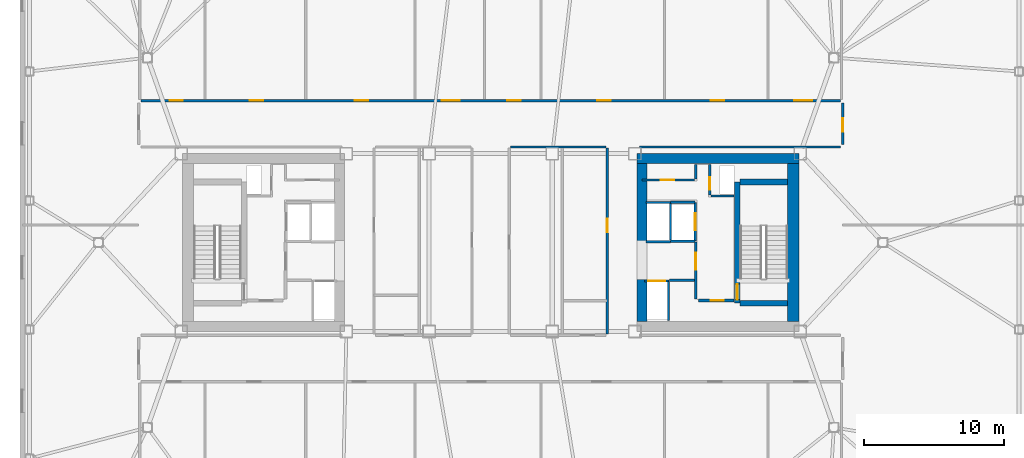
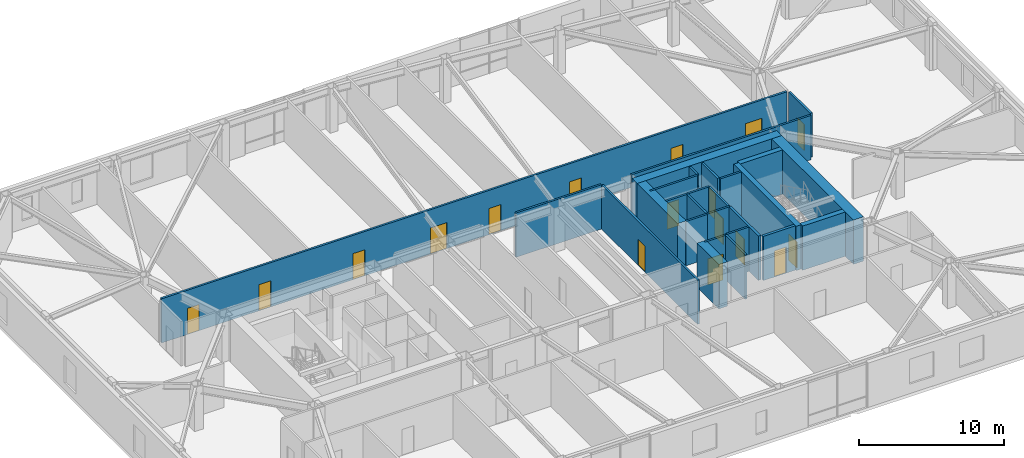
# One storey, part 12 of 18: 27 walls, 17 doors, 17 openings.
"""IFC4 building model written with IfcOpenShell, lengths in metres."""

from ifc_helpers import new_model, si_unit, direction, frame, frame_2d, origin, place, context, subcontext, project, spatial, rectangle, extrude, material, layer, layer_set, type_object, element, fill, save


model = new_model("IFC4")

# Units and contexts
model_context = context("Model", 3, precision=1e-05, world=origin(), true_north=direction((0.0, 1.0)))
body_context = subcontext(model_context, "Body", "Model", "MODEL_VIEW")
ifc_project = project(units=[si_unit("LENGTHUNIT", "METRE"), si_unit("AREAUNIT", "SQUARE_METRE"), si_unit("VOLUMEUNIT", "CUBIC_METRE"), si_unit("PLANEANGLEUNIT", "RADIAN"), si_unit("MASSUNIT", "GRAM", prefix="KILO")], contexts=[model_context])

# Site, building, storey
site_placement = place(None, origin())
site = spatial("IfcSite", under=ifc_project, at=site_placement, CompositionType="ELEMENT")
building_placement = place(site_placement, origin())
building = spatial("IfcBuilding", under=site, at=building_placement, Name="Tavrogorsk Clinical Tower", CompositionType="ELEMENT")
storey_placement = place(building_placement, frame((0.0, 0.0, 192.199951171875)))
storey = spatial("IfcBuildingStorey", under=building, at=storey_placement, Name="L44", CompositionType="ELEMENT", Elevation=192.199951171875)

# Wall, opening, door
ifc_material_1 = material(Name="Concrete B60", Category="concrete")
ifc_layer_1 = layer(ifc_material_1, 0.199951171875)
ifc_layer_set_1 = layer_set([ifc_layer_1], Name="Concrete B60")
wall_type_1 = type_object("IfcWallType", Name="CoreFireWall_200", PredefinedType="SOLIDWALL", material=ifc_layer_set_1)
wall_1_placement = place(storey_placement, frame((14.824951171875, -4.139892578125, 0.0), z_axis=(0.0, 0.0, 1.0), x_axis=(1.0, 0.0, 0.0)))
wall_1 = element("IfcWall", 1, at=wall_1_placement, inside=storey, type_object=wall_type_1, Name="L44 Core East South Core Room Fire Wall", PredefinedType="SOLIDWALL", context=body_context, shape_type="SweptSolid", body=[
    extrude(rectangle(XDim=2.554931640625, YDim=0.199951171875, at=frame_2d((1.27734375, 0.0))), origin(), (0.0, 0.0, 1.0), 3.739990234375),
])
opening_1_placement = place(wall_1_placement, frame((0.8798828125, 0.0, 0.0)))
opening_1 = element("IfcOpeningElement", 2, at=opening_1_placement, cuts=wall_1, Name="Opening ID-02", PredefinedType="OPENING", context=body_context, shape_type="SweptSolid", body=[
    extrude(rectangle(XDim=0.949951171875, YDim=2.199951171875, at=frame_2d((0.47509765625, 1.10009765625))), frame((0.0, 0.10986328125, 0.0), z_axis=(0.0, -1.0, 0.0), x_axis=(1.0, 0.0, 0.0)), (0.0, 0.0, 1.0), 0.219970703125),
])
ifc_material_2 = material(Name="Laminated timber leaf on aluminium frame", Category="wood")
door_type_1 = type_object("IfcDoorType", Name="InteriorDoor_ID02_950", OperationType="NOTDEFINED", PredefinedType="DOOR", material=ifc_material_2)
door_1_placement = place(opening_1_placement, origin())
door_1 = element("IfcDoor", 3, at=door_1_placement, inside=storey, type_object=door_type_1, Name="L44 Core East South Core Room Door", OperationType="SINGLE_SWING_RIGHT", OverallHeight=2.199951171875, OverallWidth=0.949951171875, PredefinedType="DOOR", context=body_context, shape_type="SweptSolid", body=[
    extrude(rectangle(XDim=0.949951171875, YDim=2.199951171875, at=frame_2d((0.47509765625, 1.10009765625))), frame((0.0, 0.02490234375, 0.0), z_axis=(0.0, -1.0, 0.0), x_axis=(1.0, 0.0, 0.0)), (0.0, 0.0, 1.0), 0.050048828125),
])
fill(opening_1, door_1)

wall_2_placement = place(storey_placement, frame((14.639892578125, -4.034912109375, 0.0), z_axis=(0.0, 0.0, 1.0), x_axis=(0.0, 1.0, 0.0)))
wall_2 = element("IfcWall", 4, at=wall_2_placement, inside=storey, type_object=wall_type_1, Name="L44 Core East Firefighting Lobby Fire Wall", PredefinedType="SOLIDWALL", context=body_context, shape_type="SweptSolid", body=[
    extrude(rectangle(XDim=4.074951171875, YDim=0.199951171875, at=frame_2d((2.03759765625, 0.0))), origin(), (0.0, 0.0, 1.0), 3.739990234375),
])
opening_2_placement = place(wall_2_placement, frame((2.090087890625, 0.0, 0.0)))
opening_2 = element("IfcOpeningElement", 5, at=opening_2_placement, cuts=wall_2, Name="Opening FD-01", PredefinedType="OPENING", context=body_context, shape_type="SweptSolid", body=[
    extrude(rectangle(XDim=1.199951171875, YDim=2.199951171875, at=frame_2d((0.60009765625, 1.10009765625))), frame((0.0, 0.10986328125, 0.0), z_axis=(0.0, -1.0, 0.0), x_axis=(1.0, 0.0, 0.0)), (0.0, 0.0, 1.0), 0.219970703125),
])
ifc_material_3 = material(Name="Galvanised steel fire-rated door assembly", Category="steel")
door_type_2 = type_object("IfcDoorType", Name="FireDoor_FD01_1200", OperationType="NOTDEFINED", PredefinedType="DOOR", material=ifc_material_3)
door_2_placement = place(opening_2_placement, origin())
door_2 = element("IfcDoor", 6, at=door_2_placement, inside=storey, type_object=door_type_2, Name="L44 Core East Firefighting Lobby Entry Door", OperationType="SINGLE_SWING_RIGHT", OverallHeight=2.199951171875, OverallWidth=1.199951171875, PredefinedType="DOOR", context=body_context, shape_type="SweptSolid", body=[
    extrude(rectangle(XDim=1.199951171875, YDim=2.199951171875, at=frame_2d((0.60009765625, 1.10009765625))), frame((0.0, 0.02490234375, 0.0), z_axis=(0.0, -1.0, 0.0), x_axis=(1.0, 0.0, 0.0)), (0.0, 0.0, 1.0), 0.050048828125),
])
fill(opening_2, door_2)

# Wall
ifc_material_4 = material(Name="Lightweight concrete blockwork B15", Category="masonry")
ifc_layer_2 = layer(ifc_material_4, 0.159912109375)
ifc_layer_set_2 = layer_set([ifc_layer_2], Name="Lightweight concrete blockwork B15")
wall_type_2 = type_object("IfcWallType", Name="PartitionWall_160", PredefinedType="PARTITIONING", material=ifc_layer_set_2)
wall_3_placement = place(storey_placement, frame((12.77490234375, -2.699951171875, 0.0), z_axis=(0.0, 0.0, 1.0), x_axis=(1.0, 0.0, 0.0)))
element("IfcWall", 7, at=wall_3_placement, inside=storey, type_object=wall_type_2, Name="L44 Core East Freed Low-Bank North Partition", PredefinedType="PARTITIONING", context=body_context, shape_type="SweptSolid", body=[
    extrude(rectangle(XDim=1.760009765625, YDim=0.159912109375, at=frame_2d((0.8798828125, 0.0))), origin(), (0.0, 0.0, 1.0), 3.739990234375),
])

# Wall, opening, door
wall_4_placement = place(storey_placement, frame((10.800048828125, 4.4599609375, 0.0), z_axis=(0.0, 0.0, 1.0), x_axis=(1.0, 0.0, 0.0)))
wall_4 = element("IfcWall", 8, at=wall_4_placement, inside=storey, type_object=wall_type_2, Name="L44 Core East Pneumatic Dispatch South Wall", PredefinedType="PARTITIONING", context=body_context, shape_type="SweptSolid", body=[
    extrude(rectangle(XDim=3.7548828125, YDim=0.159912109375, at=frame_2d((1.87744140625, 0.0))), origin(), (0.0, 0.0, 1.0), 3.739990234375),
])
opening_3_placement = place(wall_4_placement, frame((1.35009765625, 0.0, 0.0)))
opening_3 = element("IfcOpeningElement", 9, at=opening_3_placement, cuts=wall_4, Name="Opening ID-02", PredefinedType="OPENING", context=body_context, shape_type="SweptSolid", body=[
    extrude(rectangle(XDim=0.949951171875, YDim=2.199951171875, at=frame_2d((0.47509765625, 1.10009765625))), frame((0.0, 0.08984375, 0.0), z_axis=(0.0, -1.0, 0.0), x_axis=(1.0, 0.0, 0.0)), (0.0, 0.0, 1.0), 0.179931640625),
])
door_3_placement = place(opening_3_placement, origin())
door_3 = element("IfcDoor", 10, at=door_3_placement, inside=storey, type_object=door_type_1, Name="L44 Core East Pneumatic Dispatch Door", OperationType="SINGLE_SWING_LEFT", OverallHeight=2.199951171875, OverallWidth=0.949951171875, PredefinedType="DOOR", context=body_context, shape_type="SweptSolid", body=[
    extrude(rectangle(XDim=0.949951171875, YDim=2.199951171875, at=frame_2d((0.47509765625, 1.10009765625))), frame((0.0, 0.02490234375, 0.0), z_axis=(0.0, -1.0, 0.0), x_axis=(1.0, 0.0, 0.0)), (0.0, 0.0, 1.0), 0.050048828125),
])
fill(opening_3, door_3)

# Wall
wall_5_placement = place(storey_placement, frame((14.639892578125, 4.544921875, 0.0), z_axis=(0.0, 0.0, 1.0), x_axis=(0.0, 1.0, 0.0)))
element("IfcWall", 11, at=wall_5_placement, inside=storey, type_object=wall_type_2, Name="L44 Core East Pneumatic Dispatch East Wall", PredefinedType="PARTITIONING", context=body_context, shape_type="SweptSolid", body=[
    extrude(rectangle(XDim=1.01513671875, YDim=0.159912109375, at=frame_2d((0.507568359375, 0.0))), origin(), (0.0, 0.0, 1.0), 3.739990234375),
])

# Wall, openings, doors
wall_6_placement = place(storey_placement, frame((-24.965087890625, 10.1298828125, 0.0), z_axis=(0.0, 0.0, 1.0), x_axis=(1.0, 0.0, 0.0)))
wall_6 = element("IfcWall", 12, at=wall_6_placement, inside=storey, type_object=wall_type_2, Name="L44 Corridor Partition 05", PredefinedType="PARTITIONING", context=body_context, shape_type="SweptSolid", body=[
    extrude(rectangle(XDim=49.93017578125, YDim=0.159912109375, at=frame_2d((24.965087890625, 0.0))), origin(), (0.0, 0.0, 1.0), 3.739990234375),
])
opening_4_placement = place(wall_6_placement, frame((2.044189453125, 0.0, 0.0)))
opening_4 = element("IfcOpeningElement", 13, at=opening_4_placement, cuts=wall_6, Name="Opening ID-02", PredefinedType="OPENING", context=body_context, shape_type="SweptSolid", body=[
    extrude(rectangle(XDim=0.949951171875, YDim=2.199951171875, at=frame_2d((0.47509765625, 1.10009765625))), frame((0.0, 0.08984375, 0.0), z_axis=(0.0, -1.0, 0.0), x_axis=(1.0, 0.0, 0.0)), (0.0, 0.0, 1.0), 0.179931640625),
])
opening_5_placement = place(wall_6_placement, frame((7.77490234375, 0.0, 0.0)))
opening_5 = element("IfcOpeningElement", 14, at=opening_5_placement, cuts=wall_6, Name="Opening ID-02", PredefinedType="OPENING", context=body_context, shape_type="SweptSolid", body=[
    extrude(rectangle(XDim=0.949951171875, YDim=2.199951171875, at=frame_2d((0.47509765625, 1.10009765625))), frame((0.0, 0.08984375, 0.0), z_axis=(0.0, -1.0, 0.0), x_axis=(1.0, 0.0, 0.0)), (0.0, 0.0, 1.0), 0.179931640625),
])
opening_6_placement = place(wall_6_placement, frame((15.27490234375, 0.0, 0.0)))
opening_6 = element("IfcOpeningElement", 15, at=opening_6_placement, cuts=wall_6, Name="Opening ID-02", PredefinedType="OPENING", context=body_context, shape_type="SweptSolid", body=[
    extrude(rectangle(XDim=0.949951171875, YDim=2.199951171875, at=frame_2d((0.47509765625, 1.10009765625))), frame((0.0, 0.08984375, 0.0), z_axis=(0.0, -1.0, 0.0), x_axis=(1.0, 0.0, 0.0)), (0.0, 0.0, 1.0), 0.179931640625),
])
opening_7_placement = place(wall_6_placement, frame((21.47509765625, 0.0, 0.0)))
opening_7 = element("IfcOpeningElement", 16, at=opening_7_placement, cuts=wall_6, Name="Opening ID-01", PredefinedType="OPENING", context=body_context, shape_type="SweptSolid", body=[
    extrude(rectangle(XDim=1.300048828125, YDim=2.199951171875, at=frame_2d((0.64990234375, 1.10009765625))), frame((0.0, 0.08984375, 0.0), z_axis=(0.0, -1.0, 0.0), x_axis=(1.0, 0.0, 0.0)), (0.0, 0.0, 1.0), 0.179931640625),
])
opening_8_placement = place(wall_6_placement, frame((26.14990234375, 0.0, 0.0)))
opening_8 = element("IfcOpeningElement", 17, at=opening_8_placement, cuts=wall_6, Name="Opening ID-02", PredefinedType="OPENING", context=body_context, shape_type="SweptSolid", body=[
    extrude(rectangle(XDim=0.949951171875, YDim=2.199951171875, at=frame_2d((0.47509765625, 1.10009765625))), frame((0.0, 0.08984375, 0.0), z_axis=(0.0, -1.0, 0.0), x_axis=(1.0, 0.0, 0.0)), (0.0, 0.0, 1.0), 0.179931640625),
])
opening_9_placement = place(wall_6_placement, frame((32.574951171875, 0.0, 0.0)))
opening_9 = element("IfcOpeningElement", 18, at=opening_9_placement, cuts=wall_6, Name="Opening ID-02", PredefinedType="OPENING", context=body_context, shape_type="SweptSolid", body=[
    extrude(rectangle(XDim=0.949951171875, YDim=2.199951171875, at=frame_2d((0.47509765625, 1.10009765625))), frame((0.0, 0.08984375, 0.0), z_axis=(0.0, -1.0, 0.0), x_axis=(1.0, 0.0, 0.0)), (0.0, 0.0, 1.0), 0.179931640625),
])
opening_10_placement = place(wall_6_placement, frame((40.675048828125, 0.0, 0.0)))
opening_10 = element("IfcOpeningElement", 19, at=opening_10_placement, cuts=wall_6, Name="Opening ID-02", PredefinedType="OPENING", context=body_context, shape_type="SweptSolid", body=[
    extrude(rectangle(XDim=0.949951171875, YDim=2.199951171875, at=frame_2d((0.47509765625, 1.10009765625))), frame((0.0, 0.08984375, 0.0), z_axis=(0.0, -1.0, 0.0), x_axis=(1.0, 0.0, 0.0)), (0.0, 0.0, 1.0), 0.179931640625),
])
opening_11_placement = place(wall_6_placement, frame((46.630859375, 0.0, 0.0)))
opening_11 = element("IfcOpeningElement", 20, at=opening_11_placement, cuts=wall_6, Name="Opening ID-01", PredefinedType="OPENING", context=body_context, shape_type="SweptSolid", body=[
    extrude(rectangle(XDim=1.300048828125, YDim=2.199951171875, at=frame_2d((0.64990234375, 1.10009765625))), frame((0.0, 0.08984375, 0.0), z_axis=(0.0, -1.0, 0.0), x_axis=(1.0, 0.0, 0.0)), (0.0, 0.0, 1.0), 0.179931640625),
])
door_4_placement = place(opening_4_placement, origin())
door_4 = element("IfcDoor", 21, at=door_4_placement, inside=storey, type_object=door_type_1, Name="L44 North Clinical Examination Suite 01 Door", OperationType="SINGLE_SWING_LEFT", OverallHeight=2.199951171875, OverallWidth=0.949951171875, PredefinedType="DOOR", context=body_context, shape_type="SweptSolid", body=[
    extrude(rectangle(XDim=0.949951171875, YDim=2.199951171875, at=frame_2d((0.47509765625, 1.10009765625))), frame((0.0, 0.02490234375, 0.0), z_axis=(0.0, -1.0, 0.0), x_axis=(1.0, 0.0, 0.0)), (0.0, 0.0, 1.0), 0.050048828125),
])
fill(opening_4, door_4)
door_5_placement = place(opening_5_placement, origin())
door_5 = element("IfcDoor", 22, at=door_5_placement, inside=storey, type_object=door_type_1, Name="L44 North Diagnostic Ultrasound Suite 02 Door", OperationType="SINGLE_SWING_RIGHT", OverallHeight=2.199951171875, OverallWidth=0.949951171875, PredefinedType="DOOR", context=body_context, shape_type="SweptSolid", body=[
    extrude(rectangle(XDim=0.949951171875, YDim=2.199951171875, at=frame_2d((0.47509765625, 1.10009765625))), frame((0.0, 0.02490234375, 0.0), z_axis=(0.0, -1.0, 0.0), x_axis=(1.0, 0.0, 0.0)), (0.0, 0.0, 1.0), 0.050048828125),
])
fill(opening_5, door_5)
door_6_placement = place(opening_6_placement, origin())
door_6 = element("IfcDoor", 23, at=door_6_placement, inside=storey, type_object=door_type_1, Name="L44 North Physiotherapy Rehab Studio 03 Door", OperationType="SINGLE_SWING_LEFT", OverallHeight=2.199951171875, OverallWidth=0.949951171875, PredefinedType="DOOR", context=body_context, shape_type="SweptSolid", body=[
    extrude(rectangle(XDim=0.949951171875, YDim=2.199951171875, at=frame_2d((0.47509765625, 1.10009765625))), frame((0.0, 0.02490234375, 0.0), z_axis=(0.0, -1.0, 0.0), x_axis=(1.0, 0.0, 0.0)), (0.0, 0.0, 1.0), 0.050048828125),
])
fill(opening_6, door_6)
door_7_placement = place(opening_8_placement, origin())
door_7 = element("IfcDoor", 24, at=door_7_placement, inside=storey, type_object=door_type_1, Name="L44 North Clinical Examination Suite 04B Door", OperationType="SINGLE_SWING_LEFT", OverallHeight=2.199951171875, OverallWidth=0.949951171875, PredefinedType="DOOR", context=body_context, shape_type="SweptSolid", body=[
    extrude(rectangle(XDim=0.949951171875, YDim=2.199951171875, at=frame_2d((0.47509765625, 1.10009765625))), frame((0.0, 0.02490234375, 0.0), z_axis=(0.0, -1.0, 0.0), x_axis=(1.0, 0.0, 0.0)), (0.0, 0.0, 1.0), 0.050048828125),
])
fill(opening_8, door_7)
door_8_placement = place(opening_9_placement, origin())
door_8 = element("IfcDoor", 25, at=door_8_placement, inside=storey, type_object=door_type_1, Name="L44 North Physician Consultation Office 05 Door", OperationType="SINGLE_SWING_RIGHT", OverallHeight=2.199951171875, OverallWidth=0.949951171875, PredefinedType="DOOR", context=body_context, shape_type="SweptSolid", body=[
    extrude(rectangle(XDim=0.949951171875, YDim=2.199951171875, at=frame_2d((0.47509765625, 1.10009765625))), frame((0.0, 0.02490234375, 0.0), z_axis=(0.0, -1.0, 0.0), x_axis=(1.0, 0.0, 0.0)), (0.0, 0.0, 1.0), 0.050048828125),
])
fill(opening_9, door_8)
door_9_placement = place(opening_10_placement, origin())
door_9 = element("IfcDoor", 26, at=door_9_placement, inside=storey, type_object=door_type_1, Name="L44 North Patient & Family Quiet Lounge 06 Door", OperationType="SINGLE_SWING_LEFT", OverallHeight=2.199951171875, OverallWidth=0.949951171875, PredefinedType="DOOR", context=body_context, shape_type="SweptSolid", body=[
    extrude(rectangle(XDim=0.949951171875, YDim=2.199951171875, at=frame_2d((0.47509765625, 1.10009765625))), frame((0.0, 0.02490234375, 0.0), z_axis=(0.0, -1.0, 0.0), x_axis=(1.0, 0.0, 0.0)), (0.0, 0.0, 1.0), 0.050048828125),
])
fill(opening_10, door_9)
ifc_material_5 = material(Name="Antibacterial HPL medical leaf on aluminium frame", Category="aluminium")
door_type_3 = type_object("IfcDoorType", Name="WardBedDoor_ID01_1300", OperationType="NOTDEFINED", PredefinedType="DOOR", material=ifc_material_5)
door_10_placement = place(opening_7_placement, origin())
door_10 = element("IfcDoor", 27, at=door_10_placement, inside=storey, type_object=door_type_3, Name="L44 North Step-Down Telemetry Ward 04A Door", OperationType="SINGLE_SWING_RIGHT", OverallHeight=2.199951171875, OverallWidth=1.300048828125, PredefinedType="DOOR", context=body_context, shape_type="SweptSolid", body=[
    extrude(rectangle(XDim=1.300048828125, YDim=2.199951171875, at=frame_2d((0.64990234375, 1.10009765625))), frame((0.0, 0.02490234375, 0.0), z_axis=(0.0, -1.0, 0.0), x_axis=(1.0, 0.0, 0.0)), (0.0, 0.0, 1.0), 0.050048828125),
])
fill(opening_7, door_10)
door_11_placement = place(opening_11_placement, origin())
door_11 = element("IfcDoor", 28, at=door_11_placement, inside=storey, type_object=door_type_3, Name="L44 North Acute Isolation Suite 07 Door", OperationType="SINGLE_SWING_RIGHT", OverallHeight=2.199951171875, OverallWidth=1.300048828125, PredefinedType="DOOR", context=body_context, shape_type="SweptSolid", body=[
    extrude(rectangle(XDim=1.300048828125, YDim=2.199951171875, at=frame_2d((0.64990234375, 1.10009765625))), frame((0.0, 0.02490234375, 0.0), z_axis=(0.0, -1.0, 0.0), x_axis=(1.0, 0.0, 0.0)), (0.0, 0.0, 1.0), 0.050048828125),
])
fill(opening_11, door_11)

# Wall, opening, door
wall_7_placement = place(storey_placement, frame((25.1298828125, 9.965087890625, 0.0), z_axis=(0.0, 0.0, 1.0), x_axis=(0.0, -1.0, 0.0)))
wall_7 = element("IfcWall", 29, at=wall_7_placement, inside=storey, type_object=wall_type_2, Name="L44 Corridor Partition 06", PredefinedType="PARTITIONING", context=body_context, shape_type="SweptSolid", body=[
    extrude(rectangle(XDim=2.97998046875, YDim=0.159912109375, at=frame_2d((1.489990234375, 0.0))), origin(), (0.0, 0.0, 1.0), 3.739990234375),
])
opening_12_placement = place(wall_7_placement, frame((1.10009765625, 0.0, 0.0)))
opening_12 = element("IfcOpeningElement", 30, at=opening_12_placement, cuts=wall_7, Name="Opening ID-02", PredefinedType="OPENING", context=body_context, shape_type="SweptSolid", body=[
    extrude(rectangle(XDim=0.949951171875, YDim=2.199951171875, at=frame_2d((0.47509765625, 1.10009765625))), frame((0.0, 0.08984375, 0.0), z_axis=(0.0, -1.0, 0.0), x_axis=(1.0, 0.0, 0.0)), (0.0, 0.0, 1.0), 0.179931640625),
])
door_12_placement = place(opening_12_placement, origin())
door_12 = element("IfcDoor", 31, at=door_12_placement, inside=storey, type_object=door_type_1, Name="L44 E Multidisciplinary Seminar Suite 2 Door", OperationType="SINGLE_SWING_LEFT", OverallHeight=2.199951171875, OverallWidth=0.949951171875, PredefinedType="DOOR", context=body_context, shape_type="SweptSolid", body=[
    extrude(rectangle(XDim=0.949951171875, YDim=2.199951171875, at=frame_2d((0.47509765625, 1.10009765625))), frame((0.0, 0.02490234375, 0.0), z_axis=(0.0, -1.0, 0.0), x_axis=(1.0, 0.0, 0.0)), (0.0, 0.0, 1.0), 0.050048828125),
])
fill(opening_12, door_12)

# Walls
wall_8_placement = place(storey_placement, frame((24.965087890625, 6.820068359375, 0.0), z_axis=(0.0, 0.0, 1.0), x_axis=(-1.0, 0.0, 0.0)))
element("IfcWall", 32, at=wall_8_placement, inside=storey, type_object=wall_type_2, Name="L44 Corridor Partition 07", PredefinedType="PARTITIONING", context=body_context, shape_type="SweptSolid", body=[
    extrude(rectangle(XDim=14.335205078125, YDim=0.159912109375, at=frame_2d((7.16748046875, 0.0))), origin(), (0.0, 0.0, 1.0), 3.739990234375),
])
wall_9_placement = place(storey_placement, frame((8.235107421875, 6.820068359375, 0.0), z_axis=(0.0, 0.0, 1.0), x_axis=(-1.0, 0.0, 0.0)))
element("IfcWall", 33, at=wall_9_placement, inside=storey, type_object=wall_type_2, Name="L44 Corridor Partition 11", PredefinedType="PARTITIONING", context=body_context, shape_type="SweptSolid", body=[
    extrude(rectangle(XDim=6.820068359375, YDim=0.159912109375, at=frame_2d((3.41015625, 0.0))), origin(), (0.0, 0.0, 1.0), 3.739990234375),
])

# Wall, opening, door
wall_10_placement = place(storey_placement, frame((8.320068359375, -6.534912109375, 0.0), z_axis=(0.0, 0.0, 1.0), x_axis=(0.0, 1.0, 0.0)))
wall_10 = element("IfcWall", 34, at=wall_10_placement, inside=storey, type_object=wall_type_2, Name="L44 Corridor Partition 14", PredefinedType="PARTITIONING", context=body_context, shape_type="SweptSolid", body=[
    extrude(rectangle(XDim=13.27001953125, YDim=0.159912109375, at=frame_2d((6.635009765625, 0.0))), origin(), (0.0, 0.0, 1.0), 3.739990234375),
])
opening_13_placement = place(wall_10_placement, frame((7.285888671875, 0.0, 0.0)))
opening_13 = element("IfcOpeningElement", 35, at=opening_13_placement, cuts=wall_10, Name="Opening ID-02", PredefinedType="OPENING", context=body_context, shape_type="SweptSolid", body=[
    extrude(rectangle(XDim=0.949951171875, YDim=2.199951171875, at=frame_2d((0.47509765625, 1.10009765625))), frame((0.0, 0.08984375, 0.0), z_axis=(0.0, -1.0, 0.0), x_axis=(1.0, 0.0, 0.0)), (0.0, 0.0, 1.0), 0.179931640625),
])
door_13_placement = place(opening_13_placement, origin())
door_13 = element("IfcDoor", 36, at=door_13_placement, inside=storey, type_object=door_type_1, Name="L44 Resident Clinician Study Door", OperationType="SINGLE_SWING_LEFT", OverallHeight=2.199951171875, OverallWidth=0.949951171875, PredefinedType="DOOR", context=body_context, shape_type="SweptSolid", body=[
    extrude(rectangle(XDim=0.949951171875, YDim=2.199951171875, at=frame_2d((0.47509765625, 1.10009765625))), frame((0.0, 0.02490234375, 0.0), z_axis=(0.0, -1.0, 0.0), x_axis=(1.0, 0.0, 0.0)), (0.0, 0.0, 1.0), 0.050048828125),
])
fill(opening_13, door_13)

ifc_material_6 = material(Name="Lightweight concrete blockwork B25", Category="masonry")
ifc_layer_3 = layer(ifc_material_6, 0.159912109375)
ifc_layer_set_3 = layer_set([ifc_layer_3], Name="Lightweight concrete blockwork B25")
wall_type_3 = type_object("IfcWallType", Name="ShaftWall_160", PredefinedType="PARTITIONING", material=ifc_layer_set_3)
wall_11_placement = place(storey_placement, frame((14.60009765625, 0.1201171875, 0.0), z_axis=(0.0, 0.0, 1.0), x_axis=(0.0, 1.0, 0.0)))
wall_11 = element("IfcWall", 37, at=wall_11_placement, inside=storey, type_object=wall_type_3, Name="L44 FFL-E Firefighting Lift Front Wall", PredefinedType="PARTITIONING", context=body_context, shape_type="SweptSolid", body=[
    extrude(rectangle(XDim=2.739990234375, YDim=0.159912109375, at=frame_2d((1.3701171875, 0.0))), origin(), (0.0, 0.0, 1.0), 3.739990234375),
])
opening_14_placement = place(wall_11_placement, frame((0.77001953125, 0.0, 0.0)))
opening_14 = element("IfcOpeningElement", 38, at=opening_14_placement, cuts=wall_11, Name="Opening LD", PredefinedType="OPENING", context=body_context, shape_type="SweptSolid", body=[
    extrude(rectangle(XDim=1.199951171875, YDim=2.199951171875, at=frame_2d((0.60009765625, 1.10009765625))), frame((0.0, 0.08984375, 0.0), z_axis=(0.0, -1.0, 0.0), x_axis=(1.0, 0.0, 0.0)), (0.0, 0.0, 1.0), 0.179931640625),
])
ifc_material_7 = material(Name="Brushed stainless steel AISI 304 sliding doors", Category="steel")
door_type_4 = type_object("IfcDoorType", Name="LiftLandingDoor_LD_1200", OperationType="SLIDING_TO_LEFT", PredefinedType="DOOR", material=ifc_material_7)
door_14_placement = place(opening_14_placement, origin())
door_14 = element("IfcDoor", 39, at=door_14_placement, inside=storey, type_object=door_type_4, Name="L44 FFL-E Sliding Lift Landing Door", OperationType="SLIDING_TO_LEFT", OverallHeight=2.199951171875, OverallWidth=1.199951171875, PredefinedType="DOOR", context=body_context, shape_type="SweptSolid", body=[
    extrude(rectangle(XDim=1.199951171875, YDim=2.199951171875, at=frame_2d((0.60009765625, 1.10009765625))), frame((0.0, 0.02490234375, 0.0), z_axis=(0.0, -1.0, 0.0), x_axis=(1.0, 0.0, 0.0)), (0.0, 0.0, 1.0), 0.050048828125),
])
fill(opening_14, door_14)

# Walls
for number, where, z_axis, x_axis, name in (
    (40, (12.840087890625, 0.10009765625, 0.0), (0.0, 0.0, 1.0), (1.0, 0.0, 0.0), "L44 FFL-E Shaft South Wall"),
    (41, (12.840087890625, 2.8798828125, 0.0), (0.0, 0.0, 1.0), (1.0, 0.0, 0.0), "L44 FFL-E Shaft North Wall"),
):
    element("IfcWall", number, at=place(storey_placement, frame(where, z_axis=z_axis, x_axis=x_axis)), inside=storey, type_object=wall_type_3, Name=name, PredefinedType="PARTITIONING", context=body_context, shape_type="SweptSolid", body=[
        extrude(rectangle(XDim=1.760009765625, YDim=0.159912109375, at=frame_2d((0.8798828125, 0.0))), origin(), (0.0, 0.0, 1.0), 3.739990234375),
    ])
wall_12_placement = place(storey_placement, frame((12.840087890625, 0.179931640625, 0.0), z_axis=(0.0, 0.0, 1.0), x_axis=(0.0, 1.0, 0.0)))
element("IfcWall", 42, at=wall_12_placement, inside=storey, type_object=wall_type_3, Name="L44 FFL-E Shaft Back Wall", PredefinedType="PARTITIONING", context=body_context, shape_type="SweptSolid", body=[
    extrude(rectangle(XDim=2.6201171875, YDim=0.159912109375, at=frame_2d((1.31005859375, 0.0))), origin(), (0.0, 0.0, 1.0), 3.739990234375),
])

# Wall, opening, door
wall_13_placement = place(storey_placement, frame((10.969970703125, -2.75, 0.0), z_axis=(0.0, 0.0, 1.0), x_axis=(1.0, 0.0, 0.0)))
wall_13 = element("IfcWall", 43, at=wall_13_placement, inside=storey, type_object=wall_type_3, Name="L44 LP-M2 Lift Shaft Portal Wall", PredefinedType="PARTITIONING", context=body_context, shape_type="SweptSolid", body=[
    extrude(rectangle(XDim=1.760009765625, YDim=0.159912109375, at=frame_2d((0.8798828125, 0.0))), origin(), (0.0, 0.0, 1.0), 3.739990234375),
])
opening_15_placement = place(wall_13_placement, frame((0.280029296875, 0.0, 0.0)))
opening_15 = element("IfcOpeningElement", 44, at=opening_15_placement, cuts=wall_13, Name="Opening LD", PredefinedType="OPENING", context=body_context, shape_type="SweptSolid", body=[
    extrude(rectangle(XDim=1.199951171875, YDim=2.199951171875, at=frame_2d((0.60009765625, 1.10009765625))), frame((0.0, 0.08984375, 0.0), z_axis=(0.0, -1.0, 0.0), x_axis=(1.0, 0.0, 0.0)), (0.0, 0.0, 1.0), 0.179931640625),
])
door_15_placement = place(opening_15_placement, origin())
door_15 = element("IfcDoor", 45, at=door_15_placement, inside=storey, type_object=door_type_4, Name="L44 LP-M2 Sliding Lift Landing Door", OperationType="SLIDING_TO_LEFT", OverallHeight=2.199951171875, OverallWidth=1.199951171875, PredefinedType="DOOR", context=body_context, shape_type="SweptSolid", body=[
    extrude(rectangle(XDim=1.199951171875, YDim=2.199951171875, at=frame_2d((0.60009765625, 1.10009765625))), frame((0.0, 0.02490234375, 0.0), z_axis=(0.0, -1.0, 0.0), x_axis=(1.0, 0.0, 0.0)), (0.0, 0.0, 1.0), 0.050048828125),
])
fill(opening_15, door_15)

# Walls
for number, where, z_axis, x_axis, name in (
    (46, (11.10009765625, 0.06005859375, 0.0), (0.0, 0.0, 1.0), (1.0, 0.0, 0.0), "L44 LP-H2 High-Zone Lift Portal Wall"),
    (47, (11.10009765625, 2.860107421875, 0.0), (0.0, 0.0, 1.0), (1.0, 0.0, 0.0), "L44 LP-H2 High-Zone Lift Rear Wall"),
):
    element("IfcWall", number, at=place(storey_placement, frame(where, z_axis=z_axis, x_axis=x_axis)), inside=storey, type_object=wall_type_3, Name=name, PredefinedType="PARTITIONING", context=body_context, shape_type="SweptSolid", body=[
        extrude(rectangle(XDim=1.719970703125, YDim=0.159912109375, at=frame_2d((0.85986328125, 0.0))), origin(), (0.0, 0.0, 1.0), 3.739990234375),
    ])

# Wall, opening, door
wall_14_placement = place(storey_placement, frame((15.639892578125, 3.405029296875, 0.0), z_axis=(0.0, 0.0, 1.0), x_axis=(0.0, 1.0, 0.0)))
wall_14 = element("IfcWall", 48, at=wall_14_placement, inside=storey, type_object=wall_type_3, Name="L44 Core East Riser West Wall", PredefinedType="PARTITIONING", context=body_context, shape_type="SweptSolid", body=[
    extrude(rectangle(XDim=2.155029296875, YDim=0.159912109375, at=frame_2d((1.07763671875, 0.0))), origin(), (0.0, 0.0, 1.0), 3.739990234375),
])
opening_16_placement = place(wall_14_placement, frame((0.35009765625, 0.0, 0.0)))
opening_16 = element("IfcOpeningElement", 49, at=opening_16_placement, cuts=wall_14, Name="Opening FD-02", PredefinedType="OPENING", context=body_context, shape_type="SweptSolid", body=[
    extrude(rectangle(XDim=0.89990234375, YDim=2.199951171875, at=frame_2d((0.449951171875, 1.10009765625))), frame((0.0, 0.08984375, 0.0), z_axis=(0.0, -1.0, 0.0), x_axis=(1.0, 0.0, 0.0)), (0.0, 0.0, 1.0), 0.179931640625),
])
ifc_material_8 = material(Name="Galvanised steel fire-rated door assembly", Category="steel")
door_type_5 = type_object("IfcDoorType", Name="FireDoor_FD02_900", OperationType="NOTDEFINED", PredefinedType="DOOR", material=ifc_material_8)
door_16_placement = place(opening_16_placement, origin())
door_16 = element("IfcDoor", 50, at=door_16_placement, inside=storey, type_object=door_type_5, Name="L44 Core East Electrical Riser Access Door", OperationType="SINGLE_SWING_LEFT", OverallHeight=2.199951171875, OverallWidth=0.89990234375, PredefinedType="DOOR", context=body_context, shape_type="SweptSolid", body=[
    extrude(rectangle(XDim=0.89990234375, YDim=2.199951171875, at=frame_2d((0.449951171875, 1.10009765625))), frame((0.0, 0.02490234375, 0.0), z_axis=(0.0, -1.0, 0.0), x_axis=(1.0, 0.0, 0.0)), (0.0, 0.0, 1.0), 0.050048828125),
])
fill(opening_16, door_16)

# Walls
wall_15_placement = place(storey_placement, frame((15.72509765625, 3.320068359375, 0.0), z_axis=(0.0, 0.0, 1.0), x_axis=(1.0, 0.0, 0.0)))
element("IfcWall", 51, at=wall_15_placement, inside=storey, type_object=wall_type_3, Name="L44 Core East Riser South Wall", PredefinedType="PARTITIONING", context=body_context, shape_type="SweptSolid", body=[
    extrude(rectangle(XDim=1.65478515625, YDim=0.159912109375, at=frame_2d((0.827392578125, 0.0))), origin(), (0.0, 0.0, 1.0), 3.739990234375),
])
wall_16_placement = place(storey_placement, frame((12.68994140625, -5.56005859375, 0.0), z_axis=(0.0, 0.0, 1.0), x_axis=(0.0, 1.0, 0.0)))
element("IfcWall", 52, at=wall_16_placement, inside=storey, type_object=wall_type_3, Name="L44 Core East Freed Low-Bank Shaft Divider", PredefinedType="PARTITIONING", context=body_context, shape_type="SweptSolid", body=[
    extrude(rectangle(XDim=2.775146484375, YDim=0.159912109375, at=frame_2d((1.3876953125, 0.0))), origin(), (0.0, 0.0, 1.0), 3.739990234375),
])

# Wall, opening, door
ifc_material_9 = material(Name="Concrete B80", Category="concrete")
ifc_layer_4 = layer(ifc_material_9, 0.39990234375)
ifc_layer_set_4 = layer_set([ifc_layer_4], Name="Concrete B80")
wall_type_4 = type_object("IfcWallType", Name="ShearWall_400", PredefinedType="SHEAR", material=ifc_layer_set_4)
wall_17_placement = place(storey_placement, frame((17.60009765625, -4.324951171875, 0.0), z_axis=(0.0, 0.0, 1.0), x_axis=(0.0, 1.0, 0.0)))
wall_17 = element("IfcWall", 53, at=wall_17_placement, inside=storey, type_object=wall_type_4, Name="L44 Core East Stair Shaft Inner Shear Wall", PredefinedType="SHEAR", context=body_context, shape_type="SweptSolid", body=[
    extrude(rectangle(XDim=8.64990234375, YDim=0.39990234375, at=frame_2d((4.324951171875, 0.0))), origin(), (0.0, 0.0, 1.0), 3.739990234375),
])
opening_17_placement = place(wall_17_placement, frame((0.25, 0.0, 0.0)))
opening_17 = element("IfcOpeningElement", 54, at=opening_17_placement, cuts=wall_17, Name="Opening SD-01", PredefinedType="OPENING", context=body_context, shape_type="SweptSolid", body=[
    extrude(rectangle(XDim=1.10009765625, YDim=2.199951171875, at=frame_2d((0.550048828125, 1.10009765625))), frame((0.0, 0.2099609375, 0.0), z_axis=(0.0, -1.0, 0.0), x_axis=(1.0, 0.0, 0.0)), (0.0, 0.0, 1.0), 0.419921875),
])
ifc_material_10 = material(Name="Galvanised steel smoke-tight fire door assembly", Category="steel")
door_type_6 = type_object("IfcDoorType", Name="StairFireDoor_SD01_1100", OperationType="NOTDEFINED", PredefinedType="DOOR", material=ifc_material_10)
door_17_placement = place(opening_17_placement, origin())
door_17 = element("IfcDoor", 55, at=door_17_placement, inside=storey, type_object=door_type_6, Name="L44 ST-E Exit Stair Door", OperationType="SINGLE_SWING_RIGHT", OverallHeight=2.199951171875, OverallWidth=1.10009765625, PredefinedType="DOOR", context=body_context, shape_type="SweptSolid", body=[
    extrude(rectangle(XDim=1.10009765625, YDim=2.199951171875, at=frame_2d((0.550048828125, 1.10009765625))), frame((0.0, 0.02490234375, 0.0), z_axis=(0.0, -1.0, 0.0), x_axis=(1.0, 0.0, 0.0)), (0.0, 0.0, 1.0), 0.050048828125),
])
fill(opening_17, door_17)

# Walls
for number, where, z_axis, x_axis, name in (
    (56, (17.800048828125, -4.324951171875, 0.0), (0.0, 0.0, 1.0), (1.0, 0.0, 0.0), "L44 Core East Stair Shaft South Shear Wall"),
    (57, (17.800048828125, 4.324951171875, 0.0), (0.0, 0.0, 1.0), (1.0, 0.0, 0.0), "L44 Core East Stair Shaft North Shear Wall"),
):
    element("IfcWall", number, at=place(storey_placement, frame(where, z_axis=z_axis, x_axis=x_axis)), inside=storey, type_object=wall_type_4, Name=name, PredefinedType="SHEAR", context=body_context, shape_type="SweptSolid", body=[
        extrude(rectangle(XDim=3.39990234375, YDim=0.39990234375, at=frame_2d((1.699951171875, 0.0))), origin(), (0.0, 0.0, 1.0), 3.739990234375),
    ])
ifc_material_11 = material(Name="Concrete B80", Category="concrete")
ifc_layer_5 = layer(ifc_material_11, 0.699951171875)
ifc_layer_set_5 = layer_set([ifc_layer_5], Name="Concrete B80")
wall_type_5 = type_object("IfcWallType", Name="ShearWall_700", PredefinedType="SHEAR", material=ifc_layer_set_5)
wall_18_placement = place(storey_placement, frame((10.449951171875, 6.0, 0.0), z_axis=(0.0, 0.0, 1.0), x_axis=(1.0, 0.0, 0.0)))
element("IfcWall", 58, at=wall_18_placement, inside=storey, type_object=wall_type_5, Name="L44 Core East North Shear Wall", PredefinedType="SHEAR", context=body_context, shape_type="SweptSolid", body=[
    extrude(rectangle(XDim=11.550048828125, YDim=0.699951171875, at=frame_2d((5.77490234375, 0.0))), origin(), (0.0, 0.0, 1.0), 3.739990234375),
])
wall_19_placement = place(storey_placement, frame((10.800048828125, -5.64990234375, 0.0), z_axis=(0.0, 0.0, 1.0), x_axis=(0.0, 1.0, 0.0)))
element("IfcWall", 59, at=wall_19_placement, inside=storey, type_object=wall_type_5, Name="L44 Core East Inner South Pier", PredefinedType="SHEAR", context=body_context, shape_type="SweptSolid", body=[
    extrude(rectangle(XDim=3.0, YDim=0.699951171875, at=frame_2d((1.5, 0.0))), origin(), (0.0, 0.0, 1.0), 3.739990234375),
])
wall_20_placement = place(storey_placement, frame((10.800048828125, 0.050048828125, 0.0), z_axis=(0.0, 0.0, 1.0), x_axis=(0.0, 1.0, 0.0)))
element("IfcWall", 60, at=wall_20_placement, inside=storey, type_object=wall_type_5, Name="L44 Core East Inner North Pier", PredefinedType="SHEAR", context=body_context, shape_type="SweptSolid", body=[
    extrude(rectangle(XDim=5.599853515625, YDim=0.699951171875, at=frame_2d((2.7998046875, 0.0))), origin(), (0.0, 0.0, 1.0), 3.739990234375),
])
ifc_material_12 = material(Name="Concrete B80", Category="concrete")
ifc_layer_6 = layer(ifc_material_12, 0.800048828125)
ifc_layer_set_6 = layer_set([ifc_layer_6], Name="Concrete B80")
wall_type_6 = type_object("IfcWallType", Name="ShearWall_800", PredefinedType="SHEAR", material=ifc_layer_set_6)
wall_21_placement = place(storey_placement, frame((21.60009765625, -5.64990234375, 0.0), z_axis=(0.0, 0.0, 1.0), x_axis=(0.0, 1.0, 0.0)))
element("IfcWall", 61, at=wall_21_placement, inside=storey, type_object=wall_type_6, Name="L44 Core East End Shear Wall", PredefinedType="SHEAR", context=body_context, shape_type="SweptSolid", body=[
    extrude(rectangle(XDim=11.2998046875, YDim=0.800048828125, at=frame_2d((5.64990234375, 0.0))), origin(), (0.0, 0.0, 1.0), 3.739990234375),
])

save(model, "model.ifc")
